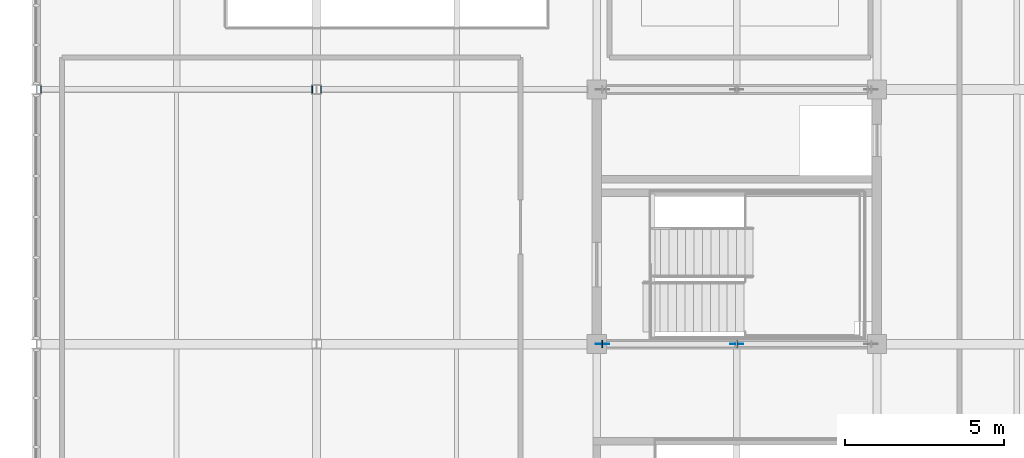
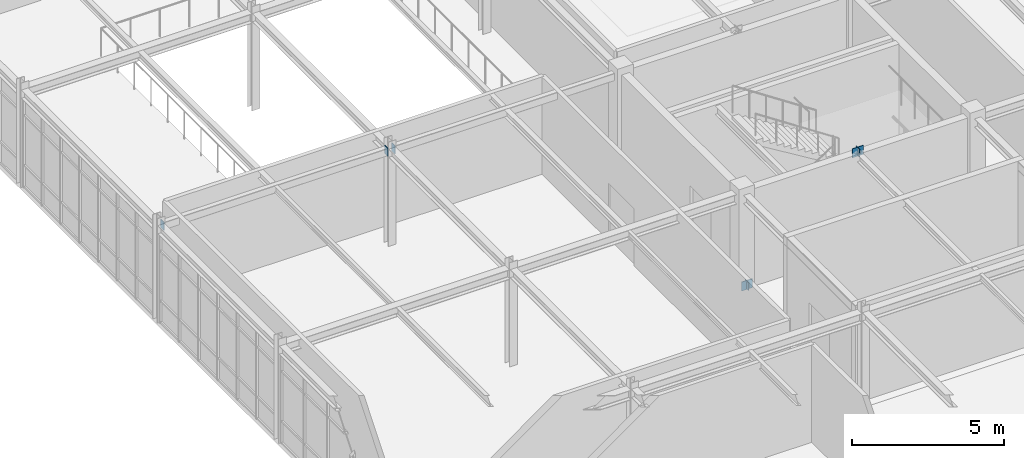
# One storey, part 60 of 88: 7 plates.
"""IFC4 building model written with IfcOpenShell, lengths in metres."""

from ifc_helpers import new_model, si_unit, direction, frame, origin, origin_2d, place, context, subcontext, project, spatial, rectangle, extrude, material, layer, layer_set, type_object, element, save


model = new_model("IFC4")

# Units and contexts
model_context = context("Model", 3, precision=1e-05, world=origin(), true_north=direction((0.0, 1.0)))
body_context = subcontext(model_context, "Body", "Model", "MODEL_VIEW")
ifc_project = project(units=[si_unit("LENGTHUNIT", "METRE"), si_unit("AREAUNIT", "SQUARE_METRE"), si_unit("VOLUMEUNIT", "CUBIC_METRE"), si_unit("PLANEANGLEUNIT", "RADIAN"), si_unit("MASSUNIT", "GRAM", prefix="KILO")], contexts=[model_context])

# Site, building, storey
site_placement = place(None, origin())
site = spatial("IfcSite", under=ifc_project, at=site_placement, CompositionType="ELEMENT")
building_placement = place(site_placement, origin())
building = spatial("IfcBuilding", under=site, at=building_placement, Name="Zhaolan Boulevard Law Courts", CompositionType="ELEMENT")
storey_placement = place(building_placement, frame((0.0, 0.0, 16.199951171875)))
storey = spatial("IfcBuildingStorey", under=building, at=storey_placement, Name="L03", CompositionType="ELEMENT", Elevation=16.199951171875)

# Plates
ifc_material_1 = material(Name="Structural steel Q355B", Category="steel")
ifc_layer_1 = layer(ifc_material_1, 0.02392578125)
ifc_layer_set_1 = layer_set([ifc_layer_1])
plate_type_1 = type_object("IfcPlateType", Name="BRACE GUSSET PLATE 24", PredefinedType="SHEET", material=ifc_layer_set_1)
for number, where, z_axis, x_axis, name in (
    (1, (17.780029296875, 86.0, -0.14990234375), (0.0, 0.0, 1.0), (1.0, 0.0, 0.0), "Brace Gusset Connection Plate GP-L1-L03-SA1"),
    (2, (22.0, 86.0, 3.740234375), (0.0, 0.0, 1.0), (1.0, 0.0, 0.0), "Brace Gusset Connection Plate GP-L1-L03-SAPX"),
):
    element("IfcPlate", number, at=place(storey_placement, frame(where, z_axis=z_axis, x_axis=x_axis)), inside=storey, type_object=plate_type_1, Name=name, PredefinedType="SHEET", context=body_context, shape_type="SweptSolid", body=[
        extrude(rectangle(XDim=0.419921875, YDim=0.02392578125, at=origin_2d()), origin(), (0.0, 0.0, 1.0), 0.360107421875),
    ])
ifc_material_2 = material(Name="Structural steel Q355B", Category="steel")
ifc_layer_2 = layer(ifc_material_2, 0.02001953125)
ifc_layer_set_2 = layer_set([ifc_layer_2])
plate_type_2 = type_object("IfcPlateType", Name="END CAP PLATE 20", PredefinedType="SHEET", material=ifc_layer_set_2)
for number, where, z_axis, x_axis, name in (
    (3, (0.137939453125, 94.0, 3.60302734375), (0.0, 0.0, 1.0), (1.0, 0.0, 0.0), "Hollow Section End-Cap Plate ECP-0935"),
    (4, (8.662109375, 94.0, 3.60302734375), (0.0, 0.0, 1.0), (1.0, 0.0, 0.0), "Hollow Section End-Cap Plate ECP-0936"),
    (5, (8.93798828125, 94.0, 3.60302734375), (0.0, 0.0, 1.0), (1.0, 0.0, 0.0), "Hollow Section End-Cap Plate ECP-0937"),
):
    element("IfcPlate", number, at=place(storey_placement, frame(where, z_axis=z_axis, x_axis=x_axis)), inside=storey, type_object=plate_type_2, Name=name, PredefinedType="SHEET", context=body_context, shape_type="SweptSolid", body=[
        extrude(rectangle(XDim=0.02001953125, YDim=0.22998046875, at=origin_2d()), origin(), (0.0, 0.0, 1.0), 0.330078125),
    ])
for number, where, z_axis, x_axis, name in (
    (6, (17.774169921875, 86.0, -0.1318359375), (0.0, 0.0, 1.0), (1.0, 0.0, 0.0), "Hollow Section End-Cap Plate ECP-1371"),
    (7, (22.005859375, 86.0, 3.76904296875), (0.0, 0.0, 1.0), (1.0, 0.0, 0.0), "Hollow Section End-Cap Plate ECP-1372"),
):
    element("IfcPlate", number, at=place(storey_placement, frame(where, z_axis=z_axis, x_axis=x_axis)), inside=storey, type_object=plate_type_2, Name=name, PredefinedType="SHEET", context=body_context, shape_type="SweptSolid", body=[
        extrude(rectangle(XDim=0.02001953125, YDim=0.22998046875, at=origin_2d()), origin(), (0.0, 0.0, 1.0), 0.31298828125),
    ])

save(model, "model.ifc")
